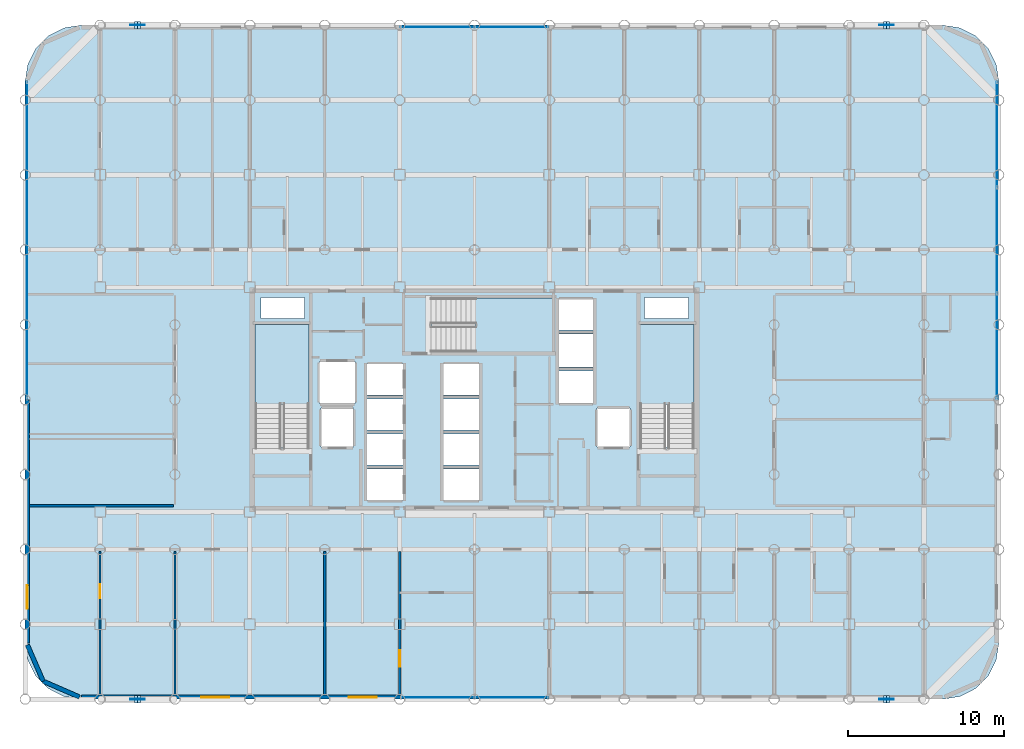
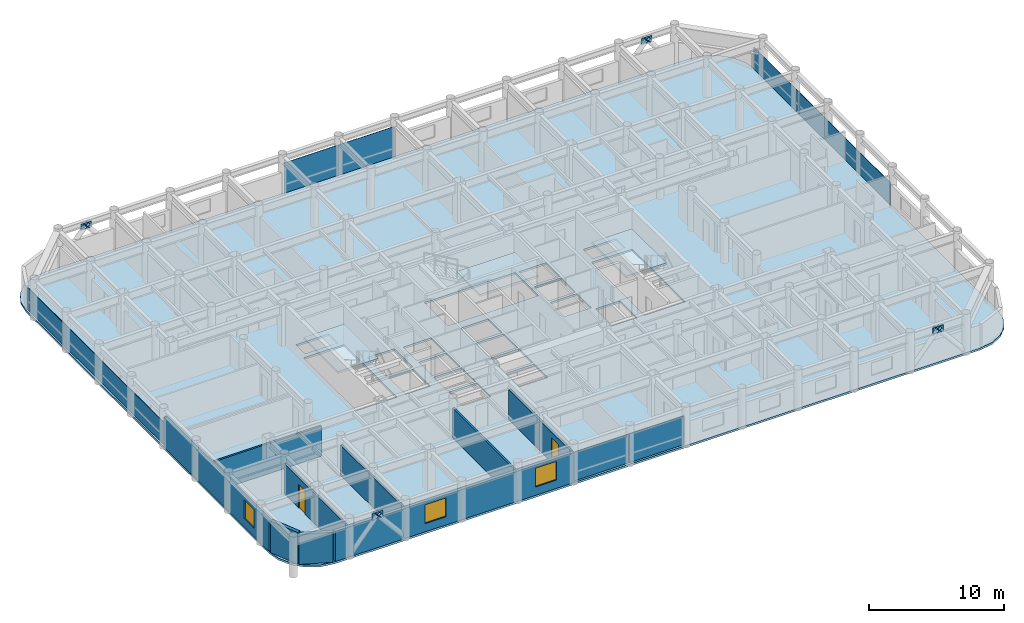
# One storey, part 16 of 22: 20 plates, 9 walls, 4 slabs, 3 windows, 2 doors, 5 openings, 7 elements without a shape of their own.
"""IFC4 building model written with IfcOpenShell, lengths in metres."""

from ifc_helpers import new_model, si_unit, direction, frame, frame_2d, origin, origin_2d, place, context, subcontext, project, spatial, polyline, rectangle, outline, extrude, material, layer, layer_set, type_object, element, fill, aggregate, save


model = new_model("IFC4")

# Units and contexts
model_context = context("Model", 3, precision=1e-05, world=origin(), true_north=direction((0.0, 1.0)))
body_context = subcontext(model_context, "Body", "Model", "MODEL_VIEW")
ifc_project = project(units=[si_unit("LENGTHUNIT", "METRE"), si_unit("AREAUNIT", "SQUARE_METRE"), si_unit("VOLUMEUNIT", "CUBIC_METRE"), si_unit("PLANEANGLEUNIT", "RADIAN"), si_unit("MASSUNIT", "GRAM", prefix="KILO")], contexts=[model_context])

# Site, building, storey
site_placement = place(None, origin())
site = spatial("IfcSite", under=ifc_project, at=site_placement, CompositionType="ELEMENT")
building_placement = place(site_placement, origin())
building = spatial("IfcBuilding", under=site, at=building_placement, Name="Kallvorn Hotel Tower", CompositionType="ELEMENT")
storey_placement = place(building_placement, frame((0.0, 0.0, 117.39990234375)))
storey = spatial("IfcBuildingStorey", under=building, at=storey_placement, Name="L28", CompositionType="ELEMENT", Elevation=117.39990234375)

# Curtain wall, plates
ifc_material_1 = material(Name="Thermally broken black-anodised aluminium AA 6063-T6", Category="aluminium")
ifc_layer_1 = layer(ifc_material_1, 0.199951171875)
ifc_layer_set_1 = layer_set([ifc_layer_1], Name="CW_SYS_3_HOTEL_LOW")
curtain_wall_type = type_object("IfcCurtainWallType", Name="CW_SYS_3_HOTEL_LOW", PredefinedType="USERDEFINED", material=ifc_layer_set_1)
curtain_wall_1_placement = place(storey_placement, origin())
curtain_wall_1 = element("IfcCurtainWall", 1, at=curtain_wall_1_placement, inside=storey, type_object=curtain_wall_type, Name="L28 Dark-Glass Curtain Wall CW-L28-SC", ObjectType="UNITISED CURTAIN WALL", PredefinedType="USERDEFINED")
ifc_material_2 = material(Name="Double-glazed low-e solar-control dark glass", Category="glass")
ifc_layer_2 = layer(ifc_material_2, 0.035888671875)
ifc_layer_set_2 = layer_set([ifc_layer_2], Name="CW_SYS_3_HOTEL_LOW_PANEL")
plate_type_1 = type_object("IfcPlateType", Name="CW_SYS_3_HOTEL_LOW_PANEL", PredefinedType="CURTAIN_PANEL", material=ifc_layer_set_2)
plate_1_placement = place(storey_placement, frame((-2.375, -19.080078125, 0.06005859375), z_axis=(0.0, 0.0, 1.0), x_axis=(1.0, 0.0, 0.0)))
plate_1 = element("IfcPlate", 2, at=plate_1_placement, type_object=plate_type_1, Name="CW-L28-SC Vision Glass Panel 00", PredefinedType="CURTAIN_PANEL", context=body_context, shape_type="SweptSolid", body=[
    extrude(rectangle(XDim=4.68994140625, YDim=0.035888671875, at=origin_2d()), origin(), (0.0, 0.0, 1.0), 2.60009765625),
])
plate_2_placement = place(storey_placement, frame((2.375, -19.080078125, 0.06005859375), z_axis=(0.0, 0.0, 1.0), x_axis=(1.0, 0.0, 0.0)))
plate_2 = element("IfcPlate", 3, at=plate_2_placement, type_object=plate_type_1, Name="CW-L28-SC Vision Glass Panel 01", PredefinedType="CURTAIN_PANEL", context=body_context, shape_type="SweptSolid", body=[
    extrude(rectangle(XDim=4.68994140625, YDim=0.035888671875, at=origin_2d()), origin(), (0.0, 0.0, 1.0), 2.60009765625),
])
aggregate(curtain_wall_1, [plate_1, plate_2])

curtain_wall_2_placement = place(storey_placement, origin())
curtain_wall_2 = element("IfcCurtainWall", 4, at=curtain_wall_2_placement, inside=storey, type_object=curtain_wall_type, Name="L28 Dark-Glass Curtain Wall CW-L28-NC", ObjectType="UNITISED CURTAIN WALL", PredefinedType="USERDEFINED")
plate_3_placement = place(storey_placement, frame((-2.375, 23.8798828125, 0.06005859375), z_axis=(0.0, 0.0, 1.0), x_axis=(1.0, 0.0, 0.0)))
plate_3 = element("IfcPlate", 5, at=plate_3_placement, type_object=plate_type_1, Name="CW-L28-NC Vision Glass Panel 00", PredefinedType="CURTAIN_PANEL", context=body_context, shape_type="SweptSolid", body=[
    extrude(rectangle(XDim=4.68994140625, YDim=0.035888671875, at=origin_2d()), origin(), (0.0, 0.0, 1.0), 2.75),
])
plate_4_placement = place(storey_placement, frame((2.375, 23.8798828125, 0.06005859375), z_axis=(0.0, 0.0, 1.0), x_axis=(1.0, 0.0, 0.0)))
plate_4 = element("IfcPlate", 6, at=plate_4_placement, type_object=plate_type_1, Name="CW-L28-NC Vision Glass Panel 01", PredefinedType="CURTAIN_PANEL", context=body_context, shape_type="SweptSolid", body=[
    extrude(rectangle(XDim=4.68994140625, YDim=0.035888671875, at=origin_2d()), origin(), (0.0, 0.0, 1.0), 2.75),
])
aggregate(curtain_wall_2, [plate_3, plate_4])

# Curtain wall, plate
curtain_wall_3_placement = place(storey_placement, origin())
curtain_wall_3 = element("IfcCurtainWall", 7, at=curtain_wall_3_placement, inside=storey, type_object=curtain_wall_type, Name="L28 Dark-Glass Curtain Wall CW-L28-WN", ObjectType="UNITISED CURTAIN WALL", PredefinedType="USERDEFINED")
plate_5_placement = place(storey_placement, frame((-28.679931640625, 10.2099609375, 0.06005859375), z_axis=(0.0, 0.0, 1.0), x_axis=(0.0, 1.0, 0.0)))
plate_5 = element("IfcPlate", 8, at=plate_5_placement, type_object=plate_type_1, Name="CW-L28-WN Vision Glass Panel 00", PredefinedType="CURTAIN_PANEL", context=body_context, shape_type="SweptSolid", body=[
    extrude(rectangle(XDim=20.320068359375, YDim=0.035888671875, at=origin_2d()), origin(), (0.0, 0.0, 1.0), 2.0),
])
aggregate(curtain_wall_3, [plate_5])

# Curtain wall, plates
curtain_wall_4_placement = place(storey_placement, origin())
curtain_wall_4 = element("IfcCurtainWall", 9, at=curtain_wall_4_placement, inside=storey, type_object=curtain_wall_type, Name="L28 Dark-Glass Curtain Wall CW-L28-EN", ObjectType="UNITISED CURTAIN WALL", PredefinedType="USERDEFINED")
plate_6_placement = place(storey_placement, frame((33.47998046875, 3.41650390625, 0.06005859375), z_axis=(0.0, 0.0, 1.0), x_axis=(0.0, 1.0, 0.0)))
plate_6 = element("IfcPlate", 10, at=plate_6_placement, type_object=plate_type_1, Name="CW-L28-EN Vision Glass Panel 00", PredefinedType="CURTAIN_PANEL", context=body_context, shape_type="SweptSolid", body=[
    extrude(rectangle(XDim=6.7333984375, YDim=0.035888671875, at=origin_2d()), origin(), (0.0, 0.0, 1.0), 2.0),
])
plate_7_placement = place(storey_placement, frame((33.47998046875, 10.2099609375, 0.06005859375), z_axis=(0.0, 0.0, 1.0), x_axis=(0.0, 1.0, 0.0)))
plate_7 = element("IfcPlate", 11, at=plate_7_placement, type_object=plate_type_1, Name="CW-L28-EN Vision Glass Panel 01", PredefinedType="CURTAIN_PANEL", context=body_context, shape_type="SweptSolid", body=[
    extrude(rectangle(XDim=6.7333984375, YDim=0.035888671875, at=origin_2d()), origin(), (0.0, 0.0, 1.0), 2.0),
])
plate_8_placement = place(storey_placement, frame((33.47998046875, 17.00341796875, 0.06005859375), z_axis=(0.0, 0.0, 1.0), x_axis=(0.0, 1.0, 0.0)))
plate_8 = element("IfcPlate", 12, at=plate_8_placement, type_object=plate_type_1, Name="CW-L28-EN Vision Glass Panel 02", PredefinedType="CURTAIN_PANEL", context=body_context, shape_type="SweptSolid", body=[
    extrude(rectangle(XDim=6.7333984375, YDim=0.035888671875, at=origin_2d()), origin(), (0.0, 0.0, 1.0), 2.0),
])
aggregate(curtain_wall_4, [plate_6, plate_7, plate_8])

# Plates
ifc_material_3 = material(Name="Structural steel S355JR", Category="steel")
ifc_layer_3 = layer(ifc_material_3, 0.030029296875)
ifc_layer_set_3 = layer_set([ifc_layer_3], Name="PLT_CAP_30")
plate_type_2 = type_object("IfcPlateType", Name="PLT_CAP_30", PredefinedType="SHEET", material=ifc_layer_set_3)
for number, where, z_axis, x_axis, name in (
    (13, (-21.407958984375, -19.443115234375, 2.8603515625), (0.646774094145, 0.0, 0.762681631575), (0.0, 1.0, 0.0), "EXO-L28-S1A End Cap Plate B"),
    (14, (-21.7919921875, -18.956787109375, 2.8603515625), (-0.646774094145, 0.0, 0.762681631575), (0.0, -1.0, 0.0), "EXO-L28-S1B End Cap Plate B"),
    (15, (26.592041015625, -19.443115234375, 2.8603515625), (0.646774094145, 0.0, 0.762681631575), (0.0, 1.0, 0.0), "EXO-L28-S2A End Cap Plate B"),
    (16, (26.2080078125, -18.956787109375, 2.8603515625), (-0.646774094145, 0.0, 0.762681631575), (0.0, -1.0, 0.0), "EXO-L28-S2B End Cap Plate B"),
    (17, (-21.407958984375, 23.7568359375, 2.8603515625), (0.646774094145, 0.0, 0.762681631575), (0.0, 1.0, 0.0), "EXO-L28-N1A End Cap Plate B"),
    (18, (-21.7919921875, 24.2431640625, 2.8603515625), (-0.646774094145, 0.0, 0.762681631575), (0.0, -1.0, 0.0), "EXO-L28-N1B End Cap Plate B"),
    (19, (26.592041015625, 23.7568359375, 2.8603515625), (0.646774094145, 0.0, 0.762681631575), (0.0, 1.0, 0.0), "EXO-L28-N2A End Cap Plate B"),
    (20, (26.2080078125, 24.2431640625, 2.8603515625), (-0.646774094145, 0.0, 0.762681631575), (0.0, -1.0, 0.0), "EXO-L28-N2B End Cap Plate B"),
):
    element("IfcPlate", number, at=place(storey_placement, frame(where, z_axis=z_axis, x_axis=x_axis)), inside=storey, type_object=plate_type_2, Name=name, PredefinedType="SHEET", context=body_context, shape_type="SweptSolid", body=[
        extrude(outline(polyline([(0.0, 0.0), (0.486328125, 0.0), (0.486328125, 0.4865644256220488), (0.0, 0.4865644256220488), (0.0, 0.0)])), origin(), (0.0, 0.0, -1.0), 0.030029296875),
    ])
ifc_material_4 = material(Name="Structural steel S355JR", Category="steel")
ifc_layer_4 = layer(ifc_material_4, 0.044921875)
ifc_layer_set_4 = layer_set([ifc_layer_4], Name="PLT_GUSSET_45")
plate_type_3 = type_object("IfcPlateType", Name="PLT_GUSSET_45", PredefinedType="USERDEFINED", material=ifc_layer_set_4)
for number, where, z_axis, x_axis, name in (
    (21, (-21.60009765625, -19.199951171875, 2.690185546875), (0.0, 0.0, 1.0), (1.0, 0.0, 0.0), "L28 Exoskeleton Node Gusset S1"),
    (22, (26.39990234375, -19.199951171875, 2.690185546875), (0.0, 0.0, 1.0), (1.0, 0.0, 0.0), "L28 Exoskeleton Node Gusset S2"),
    (23, (-21.60009765625, 24.0, 2.690185546875), (0.0, 0.0, 1.0), (1.0, 0.0, 0.0), "L28 Exoskeleton Node Gusset N1"),
    (24, (26.39990234375, 24.0, 2.690185546875), (0.0, 0.0, 1.0), (1.0, 0.0, 0.0), "L28 Exoskeleton Node Gusset N2"),
):
    element("IfcPlate", number, at=place(storey_placement, frame(where, z_axis=z_axis, x_axis=x_axis)), inside=storey, type_object=plate_type_3, Name=name, ObjectType="GUSSET PLATE", PredefinedType="USERDEFINED", context=body_context, shape_type="SweptSolid", body=[
        extrude(rectangle(XDim=0.89990234375, YDim=0.044921875, at=origin_2d()), origin(), (0.0, 0.0, 1.0), 0.56005859375),
    ])

# Stair, slab
ifc_material_5 = material(Name="Precast concrete C40/50", Category="concrete")
stair_type = type_object("IfcStairType", Name="STR_CORE_DOGLEG", PredefinedType="HALF_TURN_STAIR", material=ifc_material_5)
stair_1_placement = place(storey_placement, origin())
stair_1 = element("IfcStair", 25, at=stair_1_placement, inside=storey, type_object=stair_type, Name="L28 Exit stair ST1", PredefinedType="HALF_TURN_STAIR")
ifc_material_6 = material(Name="Precast concrete C40/50", Category="concrete")
ifc_layer_5 = layer(ifc_material_6, 0.179931640625)
ifc_layer_set_5 = layer_set([ifc_layer_5], Name="SLB_LANDING_180")
slab_type_1 = type_object("IfcSlabType", Name="SLB_LANDING_180", PredefinedType="LANDING", material=ifc_layer_set_5)
slab_1_placement = place(storey_placement, frame((0.0, 0.0, 1.650146484375)))
slab_1 = element("IfcSlab", 26, at=slab_1_placement, type_object=slab_type_1, Name="ST1 landing 1", PredefinedType="LANDING", context=body_context, shape_type="SweptSolid", body=[
    extrude(outline(polyline([(-10.60009765625, -0.31005859375), (-10.60009765625, 4.800048828125), (-14.06005859375, 4.800048828125), (-14.06005859375, -0.31005859375), (-10.60009765625, -0.31005859375)])), origin(), (0.0, 0.0, 1.0), 0.199951171875),
])
aggregate(stair_1, [slab_1])

stair_2_placement = place(storey_placement, origin())
stair_2 = element("IfcStair", 27, at=stair_2_placement, inside=storey, type_object=stair_type, Name="L28 Exit stair ST2", PredefinedType="HALF_TURN_STAIR")
slab_2_placement = place(storey_placement, frame((0.0, 0.0, 1.650146484375)))
slab_2 = element("IfcSlab", 28, at=slab_2_placement, type_object=slab_type_1, Name="ST2 landing 1", PredefinedType="LANDING", context=body_context, shape_type="SweptSolid", body=[
    extrude(outline(polyline([(14.06005859375, -0.31005859375), (14.06005859375, 4.800048828125), (10.60009765625, 4.800048828125), (10.60009765625, -0.31005859375), (14.06005859375, -0.31005859375)])), origin(), (0.0, 0.0, 1.0), 0.199951171875),
])
aggregate(stair_2, [slab_2])

stair_3_placement = place(storey_placement, origin())
stair_3 = element("IfcStair", 29, at=stair_3_placement, inside=storey, type_object=stair_type, Name="L28 Exit stair ST3", PredefinedType="HALF_TURN_STAIR")
slab_3_placement = place(storey_placement, frame((0.0, 0.0, 1.650146484375)))
slab_3 = element("IfcSlab", 30, at=slab_3_placement, type_object=slab_type_1, Name="ST3 landing 1", PredefinedType="LANDING", context=body_context, shape_type="SweptSolid", body=[
    extrude(outline(polyline([(0.0400390625, 3.050048828125), (5.050048828125, 3.050048828125), (5.050048828125, 6.510009765625), (0.0400390625, 6.510009765625), (0.0400390625, 3.050048828125)])), origin(), (0.0, 0.0, 1.0), 0.199951171875),
])
aggregate(stair_3, [slab_3])

# Slab
ifc_material_7 = material(Name="Concrete C40/50", Category="concrete")
ifc_layer_6 = layer(ifc_material_7, 0.179931640625)
ifc_layer_set_6 = layer_set([ifc_layer_6], Name="SLB_TOWER_180")
slab_type_2 = type_object("IfcSlabType", Name="SLB_TOWER_180", PredefinedType="FLOOR", material=ifc_layer_set_6)
slab_4_placement = place(storey_placement, frame((0.0, 0.0, -0.179931640625)))
element("IfcSlab", 31, at=slab_4_placement, inside=storey, type_object=slab_type_2, Name="L28 Structural Floor Slab", PredefinedType="FLOOR", context=body_context, shape_type="SweptSolid", body=[
    extrude(outline(polyline([(30.0, -19.199951171875), (31.112548828125, -19.023681640625), (32.115966796875, -18.512451171875), (32.91259765625, -17.716064453125), (33.423828125, -16.71240234375), (33.60009765625, -15.60009765625), (33.60009765625, 20.39990234375), (33.423828125, 21.512451171875), (32.91259765625, 22.51611328125), (32.115966796875, 23.3125), (31.112548828125, 23.82373046875), (30.0, 24.0), (-25.199951171875, 24.0), (-26.3125, 23.82373046875), (-27.31591796875, 23.3125), (-28.112548828125, 22.51611328125), (-28.623779296875, 21.512451171875), (-28.800048828125, 20.39990234375), (-28.800048828125, -15.60009765625), (-28.623779296875, -16.71240234375), (-28.112548828125, -17.716064453125), (-27.31591796875, -18.512451171875), (-26.3125, -19.023681640625), (-25.199951171875, -19.199951171875), (30.0, -19.199951171875)]), holes=[polyline([(-10.60009765625, -3.070068359375), (-10.60009765625, 4.800048828125), (-14.06005859375, 4.800048828125), (-14.06005859375, -3.070068359375), (-10.60009765625, -3.070068359375)]), polyline([(14.06005859375, -3.070068359375), (14.06005859375, 4.800048828125), (10.60009765625, 4.800048828125), (10.60009765625, -3.070068359375), (14.06005859375, -3.070068359375)]), polyline([(-2.719970703125, 3.050048828125), (5.050048828125, 3.050048828125), (5.050048828125, 6.510009765625), (-2.719970703125, 6.510009765625), (-2.719970703125, 3.050048828125)]), polyline([(-6.949951171875, -6.449951171875), (-4.550048828125, -6.449951171875), (-4.550048828125, -4.449951171875), (-6.949951171875, -4.449951171875), (-6.949951171875, -6.449951171875)]), polyline([(-6.949951171875, -4.199951171875), (-4.550048828125, -4.199951171875), (-4.550048828125, -2.199951171875), (-6.949951171875, -2.199951171875), (-6.949951171875, -4.199951171875)]), polyline([(-6.949951171875, -1.949951171875), (-4.550048828125, -1.949951171875), (-4.550048828125, 0.050048828125), (-6.949951171875, 0.050048828125), (-6.949951171875, -1.949951171875)]), polyline([(-6.949951171875, 0.300048828125), (-4.550048828125, 0.300048828125), (-4.550048828125, 2.300048828125), (-6.949951171875, 2.300048828125), (-6.949951171875, 0.300048828125)]), polyline([(-2.050048828125, -6.449951171875), (0.35009765625, -6.449951171875), (0.35009765625, -4.449951171875), (-2.050048828125, -4.449951171875), (-2.050048828125, -6.449951171875)]), polyline([(-2.050048828125, -4.199951171875), (0.35009765625, -4.199951171875), (0.35009765625, -2.199951171875), (-2.050048828125, -2.199951171875), (-2.050048828125, -4.199951171875)]), polyline([(-2.050048828125, -1.949951171875), (0.35009765625, -1.949951171875), (0.35009765625, 0.050048828125), (-2.050048828125, 0.050048828125), (-2.050048828125, -1.949951171875)]), polyline([(-2.050048828125, 0.300048828125), (0.35009765625, 0.300048828125), (0.35009765625, 2.300048828125), (-2.050048828125, 2.300048828125), (-2.050048828125, 0.300048828125)]), polyline([(5.35009765625, -0.25), (7.64990234375, -0.25), (7.64990234375, 1.85009765625), (5.35009765625, 1.85009765625), (5.35009765625, -0.25)]), polyline([(5.35009765625, 2.10009765625), (7.64990234375, 2.10009765625), (7.64990234375, 4.199951171875), (5.35009765625, 4.199951171875), (5.35009765625, 2.10009765625)]), polyline([(5.35009765625, 4.449951171875), (7.64990234375, 4.449951171875), (7.64990234375, 6.449951171875), (5.35009765625, 6.449951171875), (5.35009765625, 4.449951171875)]), polyline([(-9.85009765625, -3.050048828125), (-7.75, -3.050048828125), (-7.75, -0.550048828125), (-9.85009765625, -0.550048828125), (-9.85009765625, -3.050048828125)]), polyline([(7.85009765625, -3.050048828125), (9.949951171875, -3.050048828125), (9.949951171875, -0.550048828125), (7.85009765625, -0.550048828125), (7.85009765625, -3.050048828125)]), polyline([(-9.949951171875, -0.25), (-7.64990234375, -0.25), (-7.64990234375, 2.449951171875), (-9.949951171875, 2.449951171875), (-9.949951171875, -0.25)]), polyline([(-13.699951171875, 5.199951171875), (-10.89990234375, 5.199951171875), (-10.89990234375, 6.550048828125), (-13.699951171875, 6.550048828125), (-13.699951171875, 5.199951171875)]), polyline([(10.89990234375, 5.199951171875), (13.699951171875, 5.199951171875), (13.699951171875, 6.550048828125), (10.89990234375, 6.550048828125), (10.89990234375, 5.199951171875)])]), origin(), (0.0, 0.0, 1.0), 0.179931640625),
])

# Wall
ifc_material_8 = material(Name="Fire-rated double-layer acoustic gypsum drywall EI 60")
ifc_layer_7 = layer(ifc_material_8, 0.159912109375)
ifc_layer_set_7 = layer_set([ifc_layer_7], Name="WL_DEMISE_160")
wall_type_1 = type_object("IfcWallType", Name="WL_DEMISE_160", PredefinedType="PARTITIONING", material=ifc_layer_set_7)
wall_1_placement = place(storey_placement, frame((-9.60009765625, -18.909912109375, 0.0), z_axis=(0.0, 0.0, 1.0), x_axis=(0.0, 1.0, 0.0)))
element("IfcWall", 32, at=wall_1_placement, inside=storey, type_object=wall_type_1, Name="L28 Suite 2803 Executive Living Salon Partition", PredefinedType="PARTITIONING", context=body_context, shape_type="SweptSolid", body=[
    extrude(rectangle(XDim=9.18994140625, YDim=0.159912109375, at=frame_2d((4.594970703125, 0.0))), origin(), (0.0, 0.0, 1.0), 2.72021484375),
])

# Wall, opening, door
wall_2_placement = place(storey_placement, frame((-4.800048828125, -18.909912109375, 0.0), z_axis=(0.0, 0.0, 1.0), x_axis=(0.0, 1.0, 0.0)))
wall_2 = element("IfcWall", 33, at=wall_2_placement, inside=storey, type_object=wall_type_1, Name="L28 Suite 2803 Executive Bedroom Partition", PredefinedType="PARTITIONING", context=body_context, shape_type="SweptSolid", body=[
    extrude(rectangle(XDim=9.18994140625, YDim=0.159912109375, at=frame_2d((4.594970703125, 0.0))), origin(), (0.0, 0.0, 1.0), 2.72021484375),
])
opening_1_placement = place(wall_2_placement, frame((1.79296875, 0.0, 0.0)))
opening_1 = element("IfcOpeningElement", 34, at=opening_1_placement, cuts=wall_2, Name="Opening GD2", PredefinedType="OPENING", context=body_context, shape_type="SweptSolid", body=[
    extrude(rectangle(XDim=1.050048828125, YDim=2.199951171875, at=frame_2d((0.52490234375, 1.10009765625))), frame((0.0, 0.094970703125, 0.0), z_axis=(0.0, -1.0, 0.0), x_axis=(1.0, 0.0, 0.0)), (0.0, 0.0, 1.0), 0.18994140625),
])
ifc_material_9 = material(Name="Solid-core walnut veneer fire-rated timber door leaf", Category="wood")
door_type_1 = type_object("IfcDoorType", Name="DR_SUITE_1050x2200", OperationType="NOTDEFINED", PredefinedType="DOOR", material=ifc_material_9)
door_1_placement = place(opening_1_placement, origin())
door_1 = element("IfcDoor", 35, at=door_1_placement, inside=storey, type_object=door_type_1, Name="L28 Suite 2803 Executive Bedroom Door", OperationType="SINGLE_SWING_LEFT", OverallHeight=2.199951171875, OverallWidth=1.050048828125, PredefinedType="DOOR", context=body_context, shape_type="SweptSolid", body=[
    extrude(rectangle(XDim=1.050048828125, YDim=2.199951171875, at=frame_2d((0.52490234375, 1.10009765625))), frame((0.0, 0.02490234375, 0.0), z_axis=(0.0, -1.0, 0.0), x_axis=(1.0, 0.0, 0.0)), (0.0, 0.0, 1.0), 0.050048828125),
])
fill(opening_1, door_1)

# Walls
ifc_material_10 = material(Name="Precast basalt-clad insulated concrete wall C40/50", Category="masonry")
ifc_layer_8 = layer(ifc_material_10, 0.280029296875)
ifc_layer_set_8 = layer_set([ifc_layer_8], Name="WL_EXT_LOGGIA_280")
wall_type_2 = type_object("IfcWallType", Name="WL_EXT_LOGGIA_280", PredefinedType="SOLIDWALL", material=ifc_layer_set_8)
wall_3_placement = place(storey_placement, frame((-28.657958984375, -15.720703125, 0.0), z_axis=(0.0, 0.0, 1.0), x_axis=(0.398792985289, -0.917040977756, 0.0)))
element("IfcWall", 36, at=wall_3_placement, inside=storey, type_object=wall_type_2, Name="L28 Rounded Corner Exterior Wall SW1", PredefinedType="SOLIDWALL", context=body_context, shape_type="SweptSolid", body=[
    extrude(rectangle(XDim=2.536376953125, YDim=0.280029296875, at=frame_2d((1.26806640625, 0.0))), origin(), (0.0, 0.0, 1.0), 2.8701171875),
])
wall_4_placement = place(storey_placement, frame((-27.646484375, -18.046630859375, 0.0), z_axis=(0.0, 0.0, 1.0), x_axis=(0.917060872934, -0.398747232384, 0.0)))
element("IfcWall", 37, at=wall_4_placement, inside=storey, type_object=wall_type_2, Name="L28 Rounded Corner Exterior Wall SW2", PredefinedType="SOLIDWALL", context=body_context, shape_type="SweptSolid", body=[
    extrude(rectangle(XDim=2.5361328125, YDim=0.280029296875, at=frame_2d((1.26806640625, 0.0))), origin(), (0.0, 0.0, 1.0), 2.72021484375),
])

# Wall, openings, windows
wall_5_placement = place(storey_placement, frame((-25.199951171875, -19.06005859375, 0.0), z_axis=(0.0, 0.0, 1.0), x_axis=(1.0, 0.0, 0.0)))
wall_5 = element("IfcWall", 38, at=wall_5_placement, inside=storey, type_object=wall_type_2, Name="L28 Exterior Envelope Wall EW-L28-SW", PredefinedType="SOLIDWALL", context=body_context, shape_type="SweptSolid", body=[
    extrude(rectangle(XDim=20.449951171875, YDim=0.280029296875, at=frame_2d((10.22509765625, 0.0))), origin(), (0.0, 0.0, 1.0), 2.72021484375),
])
opening_2_placement = place(wall_5_placement, frame((7.679931640625, 0.0, 0.75)))
opening_2 = element("IfcOpeningElement", 39, at=opening_2_placement, cuts=wall_5, Name="Opening W04", PredefinedType="OPENING", context=body_context, shape_type="SweptSolid", body=[
    extrude(rectangle(XDim=1.800048828125, YDim=1.699951171875, at=frame_2d((0.89990234375, 0.85009765625))), frame((0.0, 0.155029296875, 0.0), z_axis=(0.0, -1.0, 0.0), x_axis=(1.0, 0.0, 0.0)), (0.0, 0.0, 1.0), 0.31005859375),
])
opening_3_placement = place(wall_5_placement, frame((17.139892578125, 0.0, 0.75)))
opening_3 = element("IfcOpeningElement", 40, at=opening_3_placement, cuts=wall_5, Name="Opening W04", PredefinedType="OPENING", context=body_context, shape_type="SweptSolid", body=[
    extrude(rectangle(XDim=1.800048828125, YDim=1.699951171875, at=frame_2d((0.89990234375, 0.85009765625))), frame((0.0, 0.155029296875, 0.0), z_axis=(0.0, -1.0, 0.0), x_axis=(1.0, 0.0, 0.0)), (0.0, 0.0, 1.0), 0.31005859375),
])
ifc_material_11 = material(Name="Double-glazed low-e solar-control dark glass", Category="glass")
window_type_1 = type_object("IfcWindowType", Name="WN_HTL_1800x1700", PartitioningType="SINGLE_PANEL", PredefinedType="WINDOW", material=ifc_material_11)
window_1_placement = place(opening_2_placement, origin())
window_1 = element("IfcWindow", 41, at=window_1_placement, inside=storey, type_object=window_type_1, Name="L28 Guestroom Exterior Window 04", OverallHeight=1.699951171875, OverallWidth=1.800048828125, PartitioningType="SINGLE_PANEL", PredefinedType="WINDOW", context=body_context, shape_type="SweptSolid", body=[
    extrude(rectangle(XDim=1.800048828125, YDim=1.699951171875, at=frame_2d((0.89990234375, 0.85009765625))), frame((0.0, 0.030029296875, 0.0), z_axis=(0.0, -1.0, 0.0), x_axis=(1.0, 0.0, 0.0)), (0.0, 0.0, 1.0), 0.06005859375),
])
fill(opening_2, window_1)
window_2_placement = place(opening_3_placement, origin())
window_2 = element("IfcWindow", 42, at=window_2_placement, inside=storey, type_object=window_type_1, Name="L28 Guestroom Exterior Window 05", OverallHeight=1.699951171875, OverallWidth=1.800048828125, PartitioningType="SINGLE_PANEL", PredefinedType="WINDOW", context=body_context, shape_type="SweptSolid", body=[
    extrude(rectangle(XDim=1.800048828125, YDim=1.699951171875, at=frame_2d((0.89990234375, 0.85009765625))), frame((0.0, 0.030029296875, 0.0), z_axis=(0.0, -1.0, 0.0), x_axis=(1.0, 0.0, 0.0)), (0.0, 0.0, 1.0), 0.06005859375),
])
fill(opening_3, window_2)

# Wall, opening, window
wall_6_placement = place(storey_placement, frame((-28.659912109375, -15.60009765625, 0.0), z_axis=(0.0, 0.0, 1.0), x_axis=(0.0, 1.0, 0.0)))
wall_6 = element("IfcWall", 43, at=wall_6_placement, inside=storey, type_object=wall_type_2, Name="L28 Exterior Envelope Wall EW-L28-WS", PredefinedType="SOLIDWALL", context=body_context, shape_type="SweptSolid", body=[
    extrude(rectangle(XDim=15.580078125, YDim=0.280029296875, at=frame_2d((7.7900390625, 0.0))), origin(), (0.0, 0.0, 1.0), 2.72021484375),
])
opening_4_placement = place(wall_6_placement, frame((2.18994140625, 0.0, 0.75)))
opening_4 = element("IfcOpeningElement", 44, at=opening_4_placement, cuts=wall_6, Name="Opening W05", PredefinedType="OPENING", context=body_context, shape_type="SweptSolid", body=[
    extrude(rectangle(XDim=1.5, YDim=1.699951171875, at=frame_2d((0.75, 0.85009765625))), frame((0.0, 0.155029296875, 0.0), z_axis=(0.0, -1.0, 0.0), x_axis=(1.0, 0.0, 0.0)), (0.0, 0.0, 1.0), 0.31005859375),
])
ifc_material_12 = material(Name="Double-glazed low-e solar-control dark glass", Category="glass")
window_type_2 = type_object("IfcWindowType", Name="WN_HTL_1500x1700", PartitioningType="SINGLE_PANEL", PredefinedType="WINDOW", material=ifc_material_12)
window_3_placement = place(opening_4_placement, origin())
window_3 = element("IfcWindow", 45, at=window_3_placement, inside=storey, type_object=window_type_2, Name="L28 Flank Wing Window 01", OverallHeight=1.699951171875, OverallWidth=1.5, PartitioningType="SINGLE_PANEL", PredefinedType="WINDOW", context=body_context, shape_type="SweptSolid", body=[
    extrude(rectangle(XDim=1.5, YDim=1.699951171875, at=frame_2d((0.75, 0.85009765625))), frame((0.0, 0.030029296875, 0.0), z_axis=(0.0, -1.0, 0.0), x_axis=(1.0, 0.0, 0.0)), (0.0, 0.0, 1.0), 0.06005859375),
])
fill(opening_4, window_3)

# Wall
ifc_material_13 = material(Name="Fire-rated double-layer acoustic gypsum drywall EI 60")
ifc_layer_9 = layer(ifc_material_13, 0.14990234375)
ifc_layer_set_9 = layer_set([ifc_layer_9], Name="WL_PART_150")
wall_type_3 = type_object("IfcWallType", Name="WL_PART_150", PredefinedType="PARTITIONING", material=ifc_layer_set_9)
wall_7_placement = place(storey_placement, frame((-28.510009765625, -6.800048828125, 0.0), z_axis=(0.0, 0.0, 1.0), x_axis=(1.0, 0.0, 0.0)))
element("IfcWall", 46, at=wall_7_placement, inside=storey, type_object=wall_type_3, Name="L28 L28 W South Tasting Bar Partition", PredefinedType="PARTITIONING", context=body_context, shape_type="SweptSolid", body=[
    extrude(rectangle(XDim=9.22998046875, YDim=0.14990234375, at=frame_2d((4.614990234375, 0.0))), origin(), (0.0, 0.0, 1.0), 2.72021484375),
])

# Wall, opening, door
wall_8_placement = place(storey_placement, frame((-24.0, -18.909912109375, 0.0), z_axis=(0.0, 0.0, 1.0), x_axis=(0.0, 1.0, 0.0)))
wall_8 = element("IfcWall", 47, at=wall_8_placement, inside=storey, type_object=wall_type_3, Name="L28 L28 South-West Botanical Bar A Partition", PredefinedType="PARTITIONING", context=body_context, shape_type="SweptSolid", body=[
    extrude(rectangle(XDim=9.18994140625, YDim=0.14990234375, at=frame_2d((4.594970703125, 0.0))), origin(), (0.0, 0.0, 1.0), 2.72021484375),
])
opening_5_placement = place(wall_8_placement, frame((6.18212890625, 0.0, 0.0)))
opening_5 = element("IfcOpeningElement", 48, at=opening_5_placement, cuts=wall_8, Name="Opening SVD1", PredefinedType="OPENING", context=body_context, shape_type="SweptSolid", body=[
    extrude(rectangle(XDim=0.89990234375, YDim=2.10009765625, at=frame_2d((0.449951171875, 1.050048828125))), frame((0.0, 0.08984375, 0.0), z_axis=(0.0, -1.0, 0.0), x_axis=(1.0, 0.0, 0.0)), (0.0, 0.0, 1.0), 0.179931640625),
])
ifc_material_14 = material(Name="Galvanised painted steel fire-rated door assembly", Category="steel")
door_type_2 = type_object("IfcDoorType", Name="DR_SERV_900x2100", OperationType="NOTDEFINED", PredefinedType="DOOR", material=ifc_material_14)
door_2_placement = place(opening_5_placement, origin())
door_2 = element("IfcDoor", 49, at=door_2_placement, inside=storey, type_object=door_type_2, Name="L28 L28 South-West Botanical Bar A Door", OperationType="SINGLE_SWING_LEFT", OverallHeight=2.10009765625, OverallWidth=0.89990234375, PredefinedType="DOOR", context=body_context, shape_type="SweptSolid", body=[
    extrude(rectangle(XDim=0.89990234375, YDim=2.10009765625, at=frame_2d((0.449951171875, 1.050048828125))), frame((0.0, 0.02490234375, 0.0), z_axis=(0.0, -1.0, 0.0), x_axis=(1.0, 0.0, 0.0)), (0.0, 0.0, 1.0), 0.050048828125),
])
fill(opening_5, door_2)

# Wall
wall_9_placement = place(storey_placement, frame((-19.199951171875, -18.909912109375, 0.0), z_axis=(0.0, 0.0, 1.0), x_axis=(0.0, 1.0, 0.0)))
element("IfcWall", 50, at=wall_9_placement, inside=storey, type_object=wall_type_3, Name="L28 L28 Cordillera Botanical Tea Salon 1 Partition", PredefinedType="PARTITIONING", context=body_context, shape_type="SweptSolid", body=[
    extrude(rectangle(XDim=9.18994140625, YDim=0.14990234375, at=frame_2d((4.594970703125, 0.0))), origin(), (0.0, 0.0, 1.0), 2.72021484375),
])

save(model, "model.ifc")
